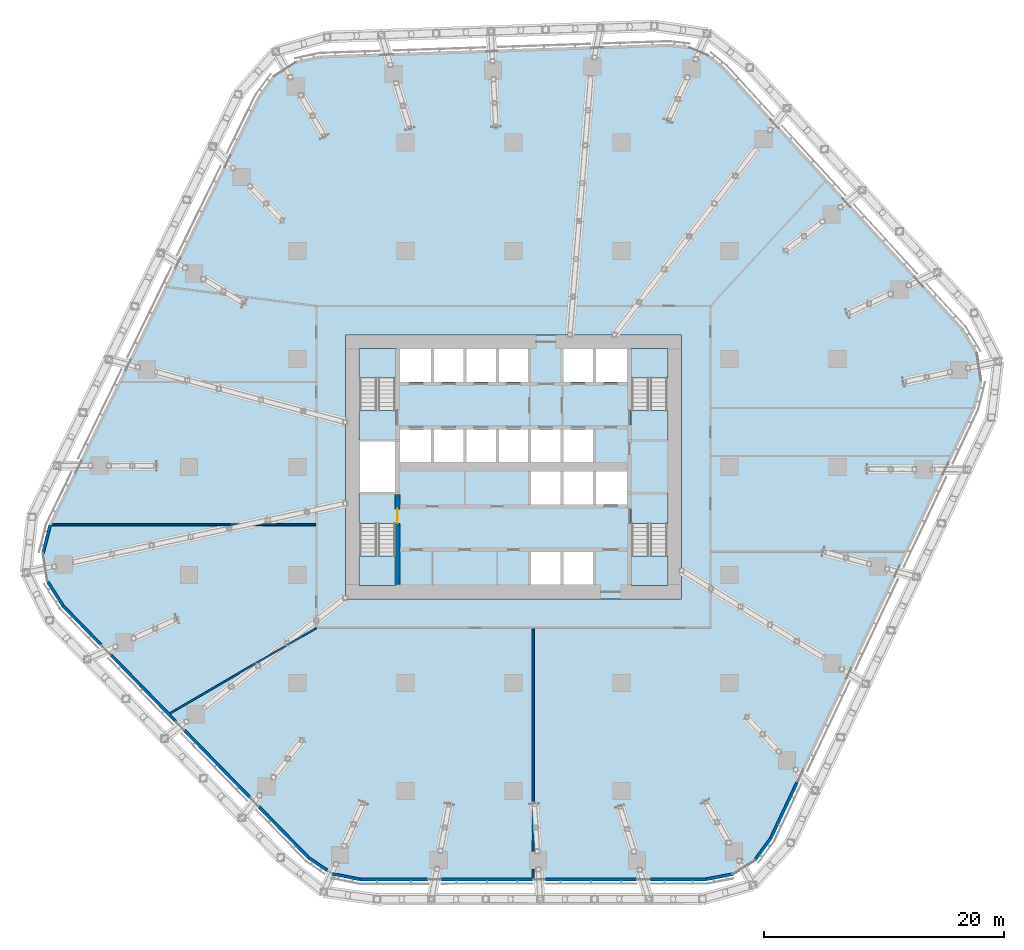
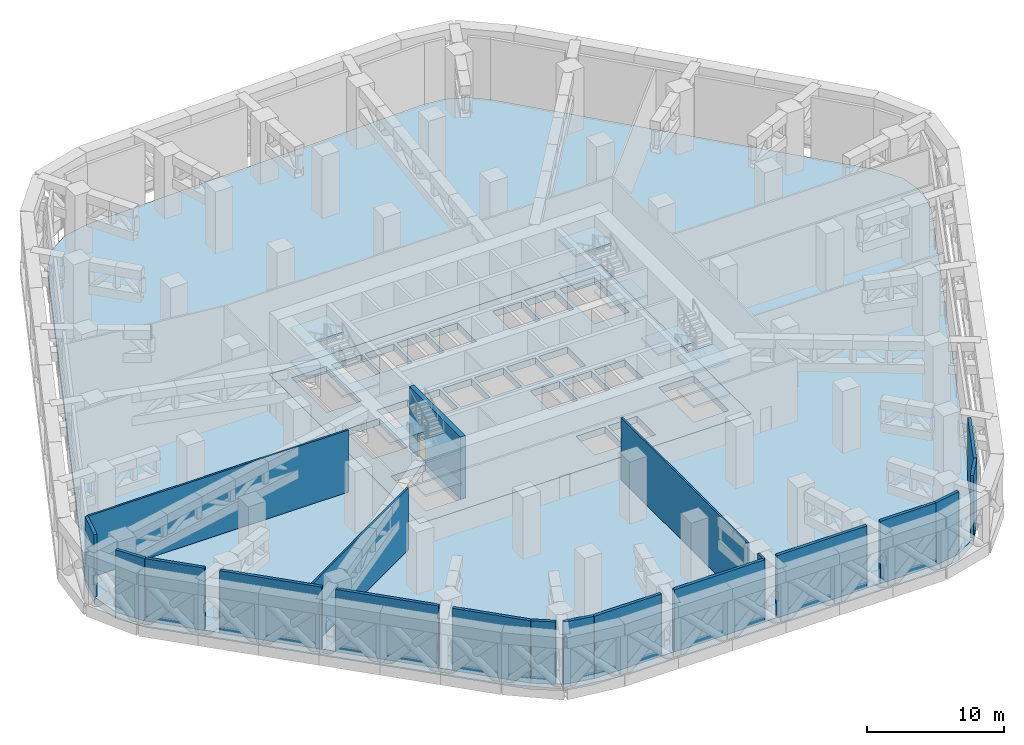
# One storey, part 16 of 38: 20 walls, 14 slabs, 1 door, 1 opening, 4 elements without a shape of their own.
"""IFC4 building model written with IfcOpenShell, lengths in metres."""

from ifc_helpers import new_model, si_unit, direction, frame, frame_2d, origin, place, context, subcontext, project, spatial, polyline, rectangle, outline, extrude, material, layer, layer_set, type_object, element, fill, aggregate, save


model = new_model("IFC4")

# Units and contexts
model_context = context("Model", 3, precision=1e-05, world=origin(), true_north=direction((0.0, 1.0)))
body_context = subcontext(model_context, "Body", "Model", "MODEL_VIEW")
ifc_project = project(units=[si_unit("LENGTHUNIT", "METRE"), si_unit("AREAUNIT", "SQUARE_METRE"), si_unit("VOLUMEUNIT", "CUBIC_METRE"), si_unit("PLANEANGLEUNIT", "RADIAN"), si_unit("MASSUNIT", "GRAM", prefix="KILO")], contexts=[model_context])

# Site, building, storey
site_placement = place(None, origin())
site = spatial("IfcSite", under=ifc_project, at=site_placement, CompositionType="ELEMENT")
building_placement = place(site_placement, origin())
building = spatial("IfcBuilding", under=site, at=building_placement, Name="Dongbaek Canopy Tower", CompositionType="ELEMENT")
storey_placement = place(building_placement, frame((0.0, 0.0, 89.199951171875)))
storey = spatial("IfcBuildingStorey", under=building, at=storey_placement, Name="L18", CompositionType="ELEMENT", Elevation=89.199951171875)

# Slab
ifc_material_1 = material(Name="Concrete C40/50", Category="concrete")
ifc_layer_1 = layer(ifc_material_1, 0.60009765625)
ifc_layer_set_1 = layer_set([ifc_layer_1], Name="Core floor slab 600 Concrete C40/50")
slab_type_1 = type_object("IfcSlabType", Name="Core floor slab 600 Concrete C40/50", PredefinedType="FLOOR", material=ifc_layer_set_1)
slab_1_placement = place(storey_placement, frame((0.0, 0.0, -0.599853515625)))
element("IfcSlab", 1, at=slab_1_placement, inside=storey, type_object=slab_type_1, Name="Core floor slab L18", PredefinedType="FLOOR", context=body_context, shape_type="SweptSolid", body=[
    extrude(outline(polyline([(14.0, -11.0), (14.0, 11.0), (-14.0, 11.0), (-14.0, -11.0), (14.0, -11.0)]), holes=[polyline([(-12.800048828125, 2.10009765625), (-9.85009765625, 2.10009765625), (-9.85009765625, -2.10009765625), (-12.800048828125, -2.10009765625), (-12.800048828125, 2.10009765625)]), polyline([(-6.875, 9.800048828125), (-6.875, 7.074951171875), (-9.449951171875, 7.074951171875), (-9.449951171875, 9.800048828125), (-6.875, 9.800048828125)]), polyline([(-4.175048828125, 9.800048828125), (-4.175048828125, 7.074951171875), (-6.625, 7.074951171875), (-6.625, 9.800048828125), (-4.175048828125, 9.800048828125)]), polyline([(-1.47509765625, 9.800048828125), (-1.47509765625, 7.074951171875), (-3.925048828125, 7.074951171875), (-3.925048828125, 9.800048828125), (-1.47509765625, 9.800048828125)]), polyline([(1.22509765625, 9.800048828125), (1.22509765625, 7.074951171875), (-1.22509765625, 7.074951171875), (-1.22509765625, 9.800048828125), (1.22509765625, 9.800048828125)]), polyline([(6.625, 9.800048828125), (6.625, 7.074951171875), (4.175048828125, 7.074951171875), (4.175048828125, 9.800048828125), (6.625, 9.800048828125)]), polyline([(9.449951171875, 7.074951171875), (6.875, 7.074951171875), (6.875, 9.800048828125), (9.449951171875, 9.800048828125), (9.449951171875, 7.074951171875)]), polyline([(-9.449951171875, 3.125), (-6.875, 3.125), (-6.875, 0.39990234375), (-9.449951171875, 0.39990234375), (-9.449951171875, 3.125)]), polyline([(-6.625, 3.125), (-4.175048828125, 3.125), (-4.175048828125, 0.39990234375), (-6.625, 0.39990234375), (-6.625, 3.125)]), polyline([(-3.925048828125, 3.125), (-1.47509765625, 3.125), (-1.47509765625, 0.39990234375), (-3.925048828125, 0.39990234375), (-3.925048828125, 3.125)]), polyline([(-1.22509765625, 3.125), (1.22509765625, 3.125), (1.22509765625, 0.39990234375), (-1.22509765625, 0.39990234375), (-1.22509765625, 3.125)]), polyline([(1.47509765625, 0.39990234375), (1.47509765625, 3.125), (3.925048828125, 3.125), (3.925048828125, 0.39990234375), (1.47509765625, 0.39990234375)]), polyline([(4.175048828125, 0.39990234375), (4.175048828125, 3.125), (6.625, 3.125), (6.625, 0.39990234375), (4.175048828125, 0.39990234375)]), polyline([(3.925048828125, -0.39990234375), (3.925048828125, -3.125), (1.47509765625, -3.125), (1.47509765625, -0.39990234375), (3.925048828125, -0.39990234375)]), polyline([(6.625, -0.39990234375), (6.625, -3.125), (4.175048828125, -3.125), (4.175048828125, -0.39990234375), (6.625, -0.39990234375)]), polyline([(9.449951171875, -3.125), (6.875, -3.125), (6.875, -0.39990234375), (9.449951171875, -0.39990234375), (9.449951171875, -3.125)]), polyline([(1.47509765625, -9.800048828125), (1.47509765625, -7.074951171875), (3.925048828125, -7.074951171875), (3.925048828125, -9.800048828125), (1.47509765625, -9.800048828125)]), polyline([(4.175048828125, -9.800048828125), (4.175048828125, -7.074951171875), (6.625, -7.074951171875), (6.625, -9.800048828125), (4.175048828125, -9.800048828125)]), polyline([(12.800048828125, 4.70068359375), (12.800048828125, 9.800048828125), (9.85009765625, 9.800048828125), (9.85009765625, 4.70068359375), (12.800048828125, 4.70068359375)]), polyline([(-9.85009765625, 4.70068359375), (-9.85009765625, 9.800048828125), (-12.800048828125, 9.800048828125), (-12.800048828125, 4.70068359375), (-9.85009765625, 4.70068359375)]), polyline([(9.85009765625, -4.70068359375), (9.85009765625, -9.800048828125), (12.800048828125, -9.800048828125), (12.800048828125, -4.70068359375), (9.85009765625, -4.70068359375)]), polyline([(-12.800048828125, -4.70068359375), (-12.800048828125, -9.800048828125), (-9.85009765625, -9.800048828125), (-9.85009765625, -4.70068359375), (-12.800048828125, -4.70068359375)])]), origin(), (0.0, 0.0, 1.0), 0.599853515625),
])

# Stair, slabs
ifc_material_2 = material(Name="Concrete C40/50", Category="concrete")
stair_type = type_object("IfcStairType", Name="Core exit stair", PredefinedType="HALF_TURN_STAIR", material=ifc_material_2)
stair_1_placement = place(storey_placement, origin())
stair_1 = element("IfcStair", 2, at=stair_1_placement, inside=storey, type_object=stair_type, Name="L18 exit stair A", PredefinedType="HALF_TURN_STAIR")
ifc_material_3 = material(Name="Concrete C40/50", Category="concrete")
ifc_layer_2 = layer(ifc_material_3, 0.199951171875)
ifc_layer_set_2 = layer_set([ifc_layer_2], Name="Core stair landing 200")
slab_type_2 = type_object("IfcSlabType", Name="Core stair landing 200", PredefinedType="LANDING", material=ifc_layer_set_2)
slab_2_placement = place(storey_placement, frame((0.0, 0.0, 1.300048828125)))
slab_2 = element("IfcSlab", 3, at=slab_2_placement, type_object=slab_type_2, Name="ST-A landing 1", PredefinedType="LANDING", context=body_context, shape_type="SweptSolid", body=[
    extrude(outline(polyline([(12.875, 7.419921875), (12.875, 9.875), (9.77490234375, 9.875), (9.77490234375, 7.419921875), (12.875, 7.419921875)])), origin(), (0.0, 0.0, 1.0), 0.199951171875),
])
slab_3_placement = place(storey_placement, frame((0.0, 0.0, 2.800048828125)))
slab_3 = element("IfcSlab", 4, at=slab_3_placement, type_object=slab_type_2, Name="ST-A landing 2", PredefinedType="LANDING", context=body_context, shape_type="SweptSolid", body=[
    extrude(outline(polyline([(12.875, 2.22509765625), (12.875, 4.699951171875), (9.77490234375, 4.699951171875), (9.77490234375, 2.22509765625), (12.875, 2.22509765625)])), origin(), (0.0, 0.0, 1.0), 0.199951171875),
])
slab_4_placement = place(storey_placement, frame((0.0, 0.0, 4.300048828125)))
slab_4 = element("IfcSlab", 5, at=slab_4_placement, type_object=slab_type_2, Name="ST-A landing 3", PredefinedType="LANDING", context=body_context, shape_type="SweptSolid", body=[
    extrude(outline(polyline([(12.875, 7.419921875), (12.875, 9.875), (9.77490234375, 9.875), (9.77490234375, 7.419921875), (12.875, 7.419921875)])), origin(), (0.0, 0.0, 1.0), 0.199951171875),
])
aggregate(stair_1, [slab_2, slab_3, slab_4])

stair_2_placement = place(storey_placement, origin())
stair_2 = element("IfcStair", 6, at=stair_2_placement, inside=storey, type_object=stair_type, Name="L18 exit stair C", PredefinedType="HALF_TURN_STAIR")
slab_5_placement = place(storey_placement, frame((0.0, 0.0, 1.300048828125)))
slab_5 = element("IfcSlab", 7, at=slab_5_placement, type_object=slab_type_2, Name="ST-C landing 1", PredefinedType="LANDING", context=body_context, shape_type="SweptSolid", body=[
    extrude(outline(polyline([(-9.77490234375, 7.419921875), (-9.77490234375, 9.875), (-12.875, 9.875), (-12.875, 7.419921875), (-9.77490234375, 7.419921875)])), origin(), (0.0, 0.0, 1.0), 0.199951171875),
])
slab_6_placement = place(storey_placement, frame((0.0, 0.0, 2.800048828125)))
slab_6 = element("IfcSlab", 8, at=slab_6_placement, type_object=slab_type_2, Name="ST-C landing 2", PredefinedType="LANDING", context=body_context, shape_type="SweptSolid", body=[
    extrude(outline(polyline([(-9.77490234375, 2.22509765625), (-9.77490234375, 4.699951171875), (-12.875, 4.699951171875), (-12.875, 2.22509765625), (-9.77490234375, 2.22509765625)])), origin(), (0.0, 0.0, 1.0), 0.199951171875),
])
slab_7_placement = place(storey_placement, frame((0.0, 0.0, 4.300048828125)))
slab_7 = element("IfcSlab", 9, at=slab_7_placement, type_object=slab_type_2, Name="ST-C landing 3", PredefinedType="LANDING", context=body_context, shape_type="SweptSolid", body=[
    extrude(outline(polyline([(-9.77490234375, 7.419921875), (-9.77490234375, 9.875), (-12.875, 9.875), (-12.875, 7.419921875), (-9.77490234375, 7.419921875)])), origin(), (0.0, 0.0, 1.0), 0.199951171875),
])
aggregate(stair_2, [slab_5, slab_6, slab_7])

stair_3_placement = place(storey_placement, origin())
stair_3 = element("IfcStair", 10, at=stair_3_placement, inside=storey, type_object=stair_type, Name="L18 exit stair B", PredefinedType="HALF_TURN_STAIR")
slab_8_placement = place(storey_placement, frame((0.0, 0.0, 1.300048828125)))
slab_8 = element("IfcSlab", 11, at=slab_8_placement, type_object=slab_type_2, Name="ST-B landing 1", PredefinedType="LANDING", context=body_context, shape_type="SweptSolid", body=[
    extrude(outline(polyline([(9.77490234375, -7.419921875), (9.77490234375, -9.875), (12.875, -9.875), (12.875, -7.419921875), (9.77490234375, -7.419921875)])), origin(), (0.0, 0.0, 1.0), 0.199951171875),
])
slab_9_placement = place(storey_placement, frame((0.0, 0.0, 2.800048828125)))
slab_9 = element("IfcSlab", 12, at=slab_9_placement, type_object=slab_type_2, Name="ST-B landing 2", PredefinedType="LANDING", context=body_context, shape_type="SweptSolid", body=[
    extrude(outline(polyline([(9.77490234375, -2.22509765625), (9.77490234375, -4.699951171875), (12.875, -4.699951171875), (12.875, -2.22509765625), (9.77490234375, -2.22509765625)])), origin(), (0.0, 0.0, 1.0), 0.199951171875),
])
slab_10_placement = place(storey_placement, frame((0.0, 0.0, 4.300048828125)))
slab_10 = element("IfcSlab", 13, at=slab_10_placement, type_object=slab_type_2, Name="ST-B landing 3", PredefinedType="LANDING", context=body_context, shape_type="SweptSolid", body=[
    extrude(outline(polyline([(9.77490234375, -7.419921875), (9.77490234375, -9.875), (12.875, -9.875), (12.875, -7.419921875), (9.77490234375, -7.419921875)])), origin(), (0.0, 0.0, 1.0), 0.199951171875),
])
aggregate(stair_3, [slab_8, slab_9, slab_10])

stair_4_placement = place(storey_placement, origin())
stair_4 = element("IfcStair", 14, at=stair_4_placement, inside=storey, type_object=stair_type, Name="L18 exit stair D", PredefinedType="HALF_TURN_STAIR")
slab_11_placement = place(storey_placement, frame((0.0, 0.0, 1.300048828125)))
slab_11 = element("IfcSlab", 15, at=slab_11_placement, type_object=slab_type_2, Name="ST-D landing 1", PredefinedType="LANDING", context=body_context, shape_type="SweptSolid", body=[
    extrude(outline(polyline([(-12.875, -7.419921875), (-12.875, -9.875), (-9.77490234375, -9.875), (-9.77490234375, -7.419921875), (-12.875, -7.419921875)])), origin(), (0.0, 0.0, 1.0), 0.199951171875),
])
slab_12_placement = place(storey_placement, frame((0.0, 0.0, 2.800048828125)))
slab_12 = element("IfcSlab", 16, at=slab_12_placement, type_object=slab_type_2, Name="ST-D landing 2", PredefinedType="LANDING", context=body_context, shape_type="SweptSolid", body=[
    extrude(outline(polyline([(-12.875, -2.22509765625), (-12.875, -4.699951171875), (-9.77490234375, -4.699951171875), (-9.77490234375, -2.22509765625), (-12.875, -2.22509765625)])), origin(), (0.0, 0.0, 1.0), 0.199951171875),
])
slab_13_placement = place(storey_placement, frame((0.0, 0.0, 4.300048828125)))
slab_13 = element("IfcSlab", 17, at=slab_13_placement, type_object=slab_type_2, Name="ST-D landing 3", PredefinedType="LANDING", context=body_context, shape_type="SweptSolid", body=[
    extrude(outline(polyline([(-12.875, -7.419921875), (-12.875, -9.875), (-9.77490234375, -9.875), (-9.77490234375, -7.419921875), (-12.875, -7.419921875)])), origin(), (0.0, 0.0, 1.0), 0.199951171875),
])
aggregate(stair_4, [slab_11, slab_12, slab_13])

# Slab
ifc_material_4 = material(Name="Concrete C40", Category="concrete")
ifc_layer_3 = layer(ifc_material_4, 0.60009765625)
ifc_layer_set_3 = layer_set([ifc_layer_3], Name="RC PLANT FLOOR SLAB 600 Concrete C40")
slab_type_3 = type_object("IfcSlabType", Name="RC PLANT FLOOR SLAB 600 Concrete C40", PredefinedType="FLOOR", material=ifc_layer_set_3)
slab_14_placement = place(storey_placement, frame((0.0, 0.0, -0.599853515625)))
element("IfcSlab", 18, at=slab_14_placement, inside=storey, type_object=slab_type_3, Name="SLAB:L18", PredefinedType="FLOOR", context=body_context, shape_type="SweptSolid", body=[
    extrude(outline(polyline([(21.502685546875, -30.997314453125), (20.18115234375, -32.81201171875), (18.285400390625, -34.01416015625), (16.080322265625, -34.435302734375), (-12.8076171875, -34.4501953125), (-15.139892578125, -33.979736328125), (-17.106201171875, -32.639404296875), (-37.5859375, -11.63916015625), (-38.8974609375, -9.586181640625), (-39.284423828125, -7.180908203125), (-38.683349609375, -4.8203125), (-21.27880859375, 30.86865234375), (-20.00146484375, 32.604736328125), (-18.193115234375, 33.77734375), (-16.086669921875, 34.235107421875), (12.952392578125, 35.206787109375), (14.66357421875, 35.01708984375), (16.250244140625, 34.34912109375), (17.58203125, 33.25830078125), (37.459228515625, 11.51025390625), (38.673583984375, 9.50048828125), (39.023681640625, 7.178466796875), (38.455810546875, 4.900146484375), (21.502685546875, -30.997314453125)]), holes=[polyline([(14.0, 11.0), (-14.0, 11.0), (-14.0, -11.0), (14.0, -11.0), (14.0, 11.0)])]), origin(), (0.0, 0.0, 1.0), 0.599853515625),
])

# Walls
ifc_material_5 = material(Name="Gypsum board partition, steel stud, 2 x 15 mm fire board", Category="steel")
ifc_layer_4 = layer(ifc_material_5, 0.14990234375)
ifc_layer_set_4 = layer_set([ifc_layer_4], Name="Fire-rated partition 150 gypsum board")
wall_type_1 = type_object("IfcWallType", Name="Fire-rated partition 150 gypsum board", PredefinedType="PARTITIONING", material=ifc_layer_set_4)
wall_1_placement = place(storey_placement, frame((-38.5498046875, -4.820068359375, 0.0), z_axis=(0.0, 0.0, 1.0), x_axis=(1.0, 0.0, 0.0)))
element("IfcWall", 19, at=wall_1_placement, inside=storey, type_object=wall_type_1, Name="Corridor partition", PredefinedType="PARTITIONING", context=body_context, shape_type="SweptSolid", body=[
    extrude(rectangle(XDim=22.07470703125, YDim=0.14990234375, at=frame_2d((11.037353515625, 0.0))), origin(), (0.0, 0.0, 1.0), 5.550048828125),
])
wall_2_placement = place(storey_placement, frame((-28.701904296875, -20.577392578125, 0.0), z_axis=(0.0, 0.0, 1.0), x_axis=(0.863745948182, 0.503927511652, 0.0)))
element("IfcWall", 20, at=wall_2_placement, inside=storey, type_object=wall_type_1, Name="Corridor partition", PredefinedType="PARTITIONING", context=body_context, shape_type="SweptSolid", body=[
    extrude(rectangle(XDim=14.24267578125, YDim=0.14990234375, at=frame_2d((7.121337890625, 0.0))), origin(), (0.0, 0.0, 1.0), 5.550048828125),
])
wall_3_placement = place(storey_placement, frame((1.635986328125, -34.32275390625, 0.0), z_axis=(0.0, 0.0, 1.0), x_axis=(0.0, 1.0, 0.0)))
element("IfcWall", 21, at=wall_3_placement, inside=storey, type_object=wall_type_1, Name="Corridor partition", PredefinedType="PARTITIONING", context=body_context, shape_type="SweptSolid", body=[
    extrude(rectangle(XDim=0.81982421875, YDim=0.14990234375, at=frame_2d((0.409912109375, 0.0))), origin(), (0.0, 0.0, 1.0), 5.550048828125),
])
wall_4_placement = place(storey_placement, frame((1.635986328125, -32.0029296875, 0.0), z_axis=(0.0, 0.0, 1.0), x_axis=(0.0, 1.0, 0.0)))
element("IfcWall", 22, at=wall_4_placement, inside=storey, type_object=wall_type_1, Name="Corridor partition", PredefinedType="PARTITIONING", context=body_context, shape_type="SweptSolid", body=[
    extrude(rectangle(XDim=18.52783203125, YDim=0.14990234375, at=frame_2d((9.263916015625, 0.0))), origin(), (0.0, 0.0, 1.0), 5.550048828125),
])
ifc_material_6 = material(Name="Pale metal cladding on insulated wall")
ifc_layer_5 = layer(ifc_material_6, 0.25)
ifc_layer_set_5 = layer_set([ifc_layer_5], Name="Plant floor wall 250")
wall_type_2 = type_object("IfcWallType", Name="Plant floor wall 250", PredefinedType="SOLIDWALL", material=ifc_layer_set_5)
for number, where, z_axis, x_axis, name in (
    (23, (-38.589111328125, -4.854736328125, 0.0), (0.0, 0.0, 1.0), (-0.246665414203, -0.969100703455, 0.0), "Plant wall L18 K3 1"),
    (24, (-38.802001953125, -9.5498046875, 0.0), (0.0, 0.0, 1.0), (0.538313183325, -0.842744870443, 0.0), "Plant wall L18 K3 2"),
):
    element("IfcWall", number, at=place(storey_placement, frame(where, z_axis=z_axis, x_axis=x_axis)), inside=storey, type_object=wall_type_2, Name=name, PredefinedType="SOLIDWALL", context=body_context, shape_type="SweptSolid", body=[
        extrude(rectangle(XDim=2.405029296875, YDim=0.25, at=frame_2d((1.20263671875, 0.0))), origin(), (0.0, 0.0, 1.0), 5.550048828125),
    ])
wall_5_placement = place(storey_placement, frame((-37.50732421875, -11.57666015625, 0.0), z_axis=(0.0, 0.0, 1.0), x_axis=(0.698192615828, -0.715909960263, 0.0)))
element("IfcWall", 25, at=wall_5_placement, inside=storey, type_object=wall_type_2, Name="Plant wall L18 F3 1", PredefinedType="SOLIDWALL", context=body_context, shape_type="SweptSolid", body=[
    extrude(rectangle(XDim=4.533447265625, YDim=0.25, at=frame_2d((2.2666015625, 0.0))), origin(), (0.0, 0.0, 1.0), 5.550048828125),
])
wall_6_placement = place(storey_placement, frame((-33.5361328125, -15.64892578125, 0.0), z_axis=(0.0, 0.0, 1.0), x_axis=(0.698186501695, -0.715915923032, 0.0)))
element("IfcWall", 26, at=wall_6_placement, inside=storey, type_object=wall_type_2, Name="Plant wall L18 F3 2", PredefinedType="SOLIDWALL", context=body_context, shape_type="SweptSolid", body=[
    extrude(rectangle(XDim=7.752685546875, YDim=0.25, at=frame_2d((3.87646484375, 0.0))), origin(), (0.0, 0.0, 1.0), 5.550048828125),
])
wall_7_placement = place(storey_placement, frame((-27.391845703125, -21.94921875, 0.0), z_axis=(0.0, 0.0, 1.0), x_axis=(0.698185352387, -0.715917043876, 0.0)))
element("IfcWall", 27, at=wall_7_placement, inside=storey, type_object=wall_type_2, Name="Plant wall L18 F3 3", PredefinedType="SOLIDWALL", context=body_context, shape_type="SweptSolid", body=[
    extrude(rectangle(XDim=7.820556640625, YDim=0.25, at=frame_2d((3.91015625, 0.0))), origin(), (0.0, 0.0, 1.0), 5.550048828125),
])
wall_8_placement = place(storey_placement, frame((-21.19189453125, -28.306640625, 0.0), z_axis=(0.0, 0.0, 1.0), x_axis=(0.698180138844, -0.715922128254, 0.0)))
element("IfcWall", 28, at=wall_8_placement, inside=storey, type_object=wall_type_2, Name="Plant wall L18 F3 4", PredefinedType="SOLIDWALL", context=body_context, shape_type="SweptSolid", body=[
    extrude(rectangle(XDim=5.944580078125, YDim=0.25, at=frame_2d((2.97216796875, 0.0))), origin(), (0.0, 0.0, 1.0), 5.550048828125),
])
wall_9_placement = place(storey_placement, frame((-17.04150390625, -32.5625, 0.0), z_axis=(0.0, 0.0, 1.0), x_axis=(0.82627570096, -0.56326589281, 0.0)))
element("IfcWall", 29, at=wall_9_placement, inside=storey, type_object=wall_type_2, Name="Plant wall L18 K4 1", PredefinedType="SOLIDWALL", context=body_context, shape_type="SweptSolid", body=[
    extrude(rectangle(XDim=1.815673828125, YDim=0.25, at=frame_2d((0.90771484375, 0.0))), origin(), (0.0, 0.0, 1.0), 5.550048828125),
])
wall_10_placement = place(storey_placement, frame((-15.100341796875, -33.8857421875, 0.0), z_axis=(0.0, 0.0, 1.0), x_axis=(0.980247502871, -0.197774702922, 0.0)))
element("IfcWall", 30, at=wall_10_placement, inside=storey, type_object=wall_type_2, Name="Plant wall L18 K4 2", PredefinedType="SOLIDWALL", context=body_context, shape_type="SweptSolid", body=[
    extrude(rectangle(XDim=2.34912109375, YDim=0.25, at=frame_2d((1.174560546875, 0.0))), origin(), (0.0, 0.0, 1.0), 5.550048828125),
])
wall_11_placement = place(storey_placement, frame((-12.797607421875, -34.350341796875, 0.0), z_axis=(0.0, 0.0, 1.0), x_axis=(0.999999867183, 0.000515397432, 0.0)))
element("IfcWall", 31, at=wall_11_placement, inside=storey, type_object=wall_type_2, Name="Plant wall L18 F4 1", PredefinedType="SOLIDWALL", context=body_context, shape_type="SweptSolid", body=[
    extrude(rectangle(XDim=5.684326171875, YDim=0.25, at=frame_2d((2.84228515625, 0.0))), origin(), (0.0, 0.0, 1.0), 5.550048828125),
])
wall_12_placement = place(storey_placement, frame((-6.0322265625, -34.3466796875, 0.0), z_axis=(0.0, 0.0, 1.0), x_axis=(0.999999869879, 0.000510138947, 0.0)))
element("IfcWall", 32, at=wall_12_placement, inside=storey, type_object=wall_type_2, Name="Plant wall L18 F4 2", PredefinedType="SOLIDWALL", context=body_context, shape_type="SweptSolid", body=[
    extrude(rectangle(XDim=7.6572265625, YDim=0.25, at=frame_2d((3.82861328125, 0.0))), origin(), (0.0, 0.0, 1.0), 5.550048828125),
])
wall_13_placement = place(storey_placement, frame((2.651123046875, -34.34228515625, 0.0), z_axis=(0.0, 0.0, 1.0), x_axis=(0.99999985131, 0.000545326152, 0.0)))
element("IfcWall", 33, at=wall_13_placement, inside=storey, type_object=wall_type_2, Name="Plant wall L18 F4 3", PredefinedType="SOLIDWALL", context=body_context, shape_type="SweptSolid", body=[
    extrude(rectangle(XDim=7.61083984375, YDim=0.25, at=frame_2d((3.805419921875, 0.0))), origin(), (0.0, 0.0, 1.0), 5.550048828125),
])
wall_14_placement = place(storey_placement, frame((11.39501953125, -34.337646484375, 0.0), z_axis=(0.0, 0.0, 1.0), x_axis=(0.999999863686, 0.000522138609, 0.0)))
element("IfcWall", 34, at=wall_14_placement, inside=storey, type_object=wall_type_2, Name="Plant wall L18 F4 4", PredefinedType="SOLIDWALL", context=body_context, shape_type="SweptSolid", body=[
    extrude(rectangle(XDim=4.67578125, YDim=0.25, at=frame_2d((2.337890625, 0.0))), origin(), (0.0, 0.0, 1.0), 5.550048828125),
])
wall_15_placement = place(storey_placement, frame((16.07080078125, -34.335205078125, 0.0), z_axis=(0.0, 0.0, 1.0), x_axis=(0.982246854251, 0.187592956464, 0.0)))
element("IfcWall", 35, at=wall_15_placement, inside=storey, type_object=wall_type_2, Name="Plant wall L18 K5 1", PredefinedType="SOLIDWALL", context=body_context, shape_type="SweptSolid", body=[
    extrude(rectangle(XDim=2.21630859375, YDim=0.25, at=frame_2d((1.108154296875, 0.0))), origin(), (0.0, 0.0, 1.0), 5.550048828125),
])
wall_16_placement = place(storey_placement, frame((20.111572265625, -32.73779296875, 0.0), z_axis=(0.0, 0.0, 1.0), x_axis=(0.58864316002, 0.8083929924, 0.0)))
element("IfcWall", 36, at=wall_16_placement, inside=storey, type_object=wall_type_2, Name="Plant wall L18 K5 2", PredefinedType="SOLIDWALL", context=body_context, shape_type="SweptSolid", body=[
    extrude(rectangle(XDim=2.216552734375, YDim=0.25, at=frame_2d((1.1083984375, 0.0))), origin(), (0.0, 0.0, 1.0), 5.550048828125),
])
wall_17_placement = place(storey_placement, frame((21.416259765625, -30.946044921875, 0.0), z_axis=(0.0, 0.0, 1.0), x_axis=(0.427034096602, 0.904235522604, 0.0)))
element("IfcWall", 37, at=wall_17_placement, inside=storey, type_object=wall_type_2, Name="Plant wall L18 F5 1", PredefinedType="SOLIDWALL", context=body_context, shape_type="SweptSolid", body=[
    extrude(rectangle(XDim=5.187744140625, YDim=0.25, at=frame_2d((2.59375, 0.0))), origin(), (0.0, 0.0, 1.0), 5.550048828125),
])

# Wall, opening, door
ifc_material_7 = material(Name="Concrete C60/75", Category="concrete")
ifc_layer_6 = layer(ifc_material_7, 0.39990234375)
ifc_layer_set_6 = layer_set([ifc_layer_6], Name="Stair wall 400 Concrete C60/75")
wall_type_3 = type_object("IfcWallType", Name="Stair wall 400 Concrete C60/75", PredefinedType="SHEAR", material=ifc_layer_set_6)
wall_18_placement = place(storey_placement, frame((-9.64990234375, -9.800048828125, 0.0), z_axis=(0.0, 0.0, 1.0), x_axis=(0.0, 1.0, 0.0)))
wall_18 = element("IfcWall", 38, at=wall_18_placement, inside=storey, type_object=wall_type_3, Name="Stair wall", PredefinedType="SHEAR", context=body_context, shape_type="SweptSolid", body=[
    extrude(rectangle(XDim=7.5, YDim=0.39990234375, at=frame_2d((3.75, 0.0))), origin(), (0.0, 0.0, 1.0), 5.550048828125),
])
opening_placement = place(wall_18_placement, frame((5.10009765625, 0.0, 0.0)))
opening = element("IfcOpeningElement", 39, at=opening_placement, cuts=wall_18, Name="Opening L18-D037", PredefinedType="OPENING", context=body_context, shape_type="SweptSolid", body=[
    extrude(rectangle(XDim=1.199951171875, YDim=2.10009765625, at=frame_2d((0.60009765625, 1.050048828125))), frame((0.0, 0.2099609375, 0.0), z_axis=(0.0, -1.0, 0.0), x_axis=(1.0, 0.0, 0.0)), (0.0, 0.0, 1.0), 0.419921875),
])
ifc_material_8 = material(Name="Steel", Category="steel")
door_type = type_object("IfcDoorType", Name="Stair door 1200 x 2100", OperationType="SINGLE_SWING_LEFT", PredefinedType="DOOR", material=ifc_material_8)
door_placement = place(opening_placement, origin())
door = element("IfcDoor", 40, at=door_placement, inside=storey, type_object=door_type, Name="Stair D door", OperationType="SINGLE_SWING_LEFT", OverallHeight=2.10009765625, OverallWidth=1.199951171875, PredefinedType="DOOR", context=body_context, shape_type="SweptSolid", body=[
    extrude(rectangle(XDim=1.199951171875, YDim=2.10009765625, at=frame_2d((0.60009765625, 1.050048828125))), frame((0.0, 0.02490234375, 0.0), z_axis=(0.0, -1.0, 0.0), x_axis=(1.0, 0.0, 0.0)), (0.0, 0.0, 1.0), 0.050048828125),
])
fill(opening, door)

save(model, "model.ifc")
